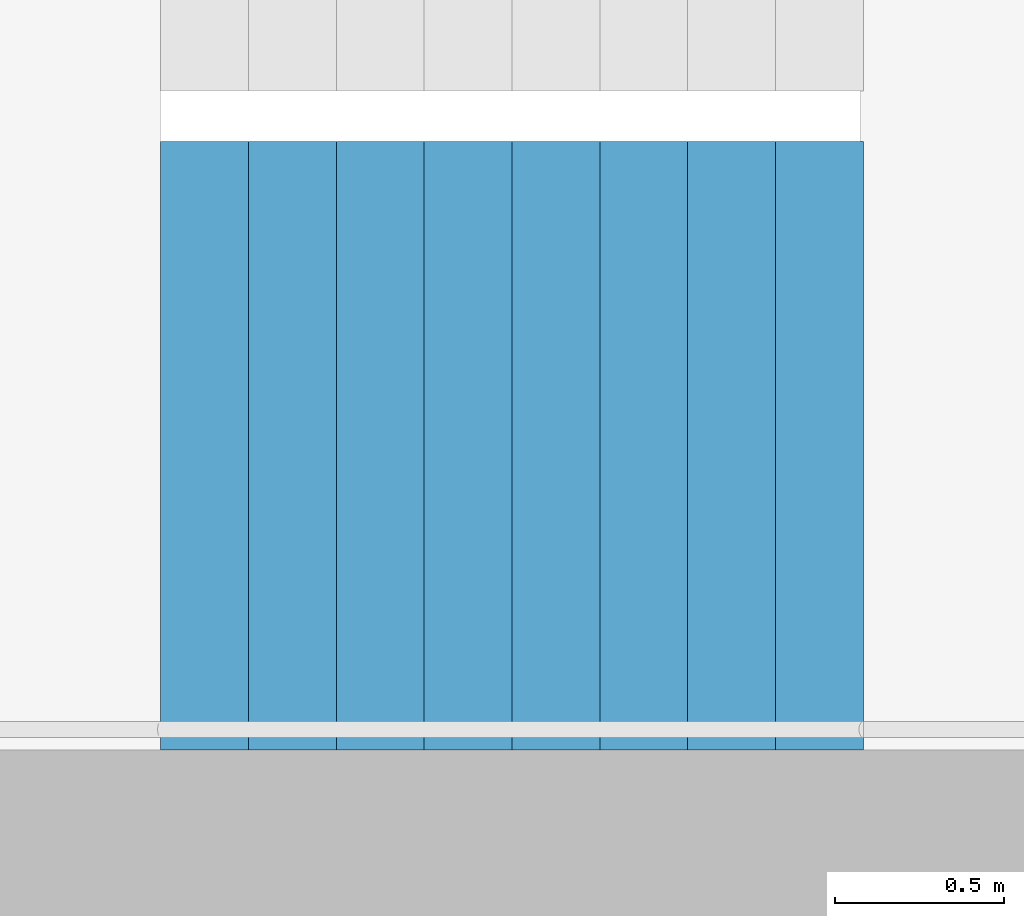
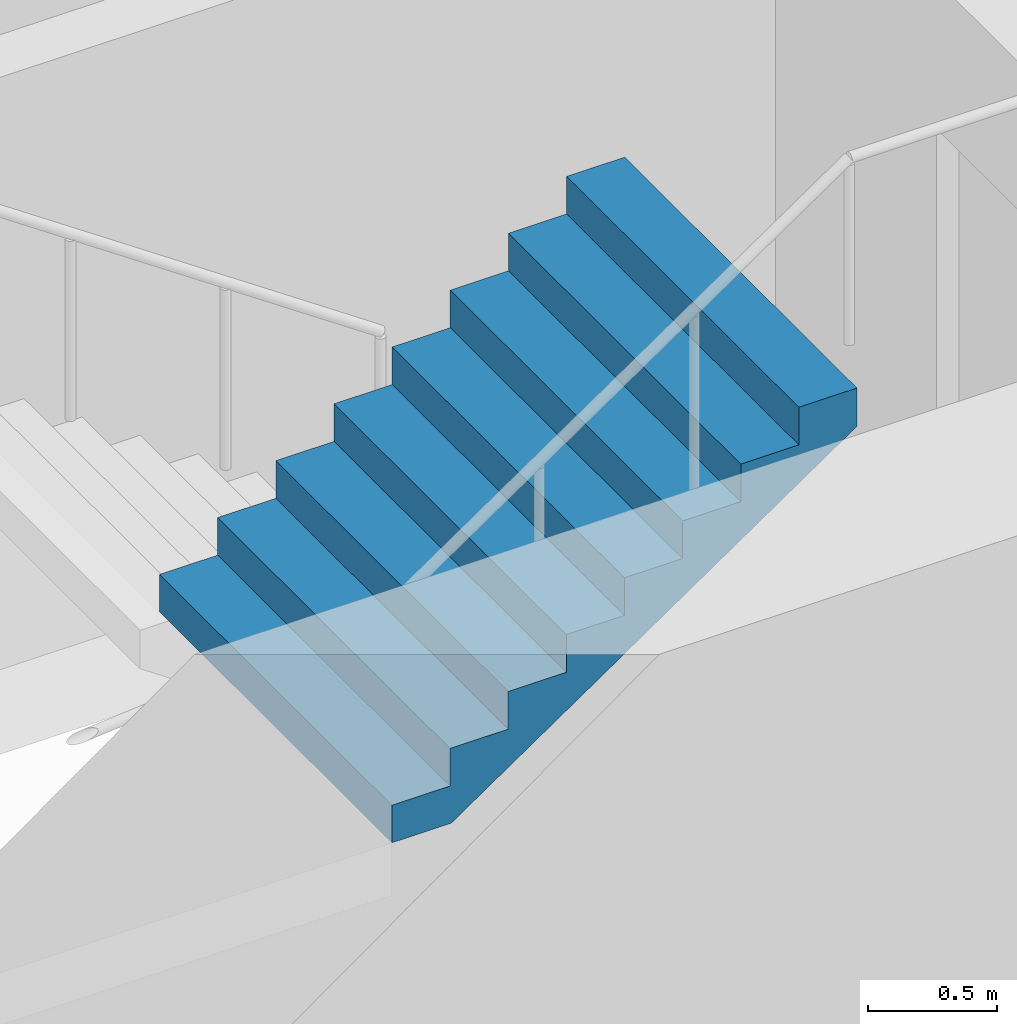
# One storey, part 21 of 29: 1 stair flight, 1 element without a shape of its own.
"""IFC4 building model written with IfcOpenShell, lengths in metres."""

from ifc_helpers import new_model, si_unit, direction, frame, origin, place, context, subcontext, project, spatial, triangles, material, type_object, element, aggregate, save


model = new_model("IFC4")

# Units and contexts
model_context = context("Model", 3, precision=1e-05, world=origin(), true_north=direction((0.0, 1.0)))
body_context = subcontext(model_context, "Body", "Model", "MODEL_VIEW")
ifc_project = project(units=[si_unit("LENGTHUNIT", "METRE"), si_unit("AREAUNIT", "SQUARE_METRE"), si_unit("VOLUMEUNIT", "CUBIC_METRE"), si_unit("PLANEANGLEUNIT", "RADIAN"), si_unit("MASSUNIT", "GRAM", prefix="KILO")], contexts=[model_context])

# Site, building, storey
site_placement = place(None, origin())
site = spatial("IfcSite", under=ifc_project, at=site_placement, CompositionType="ELEMENT")
building_placement = place(site_placement, origin())
building = spatial("IfcBuilding", under=site, at=building_placement, Name="Hakoniwa Tower and Hamabe Station Hall", CompositionType="ELEMENT")
storey_placement = place(building_placement, frame((0.0, 0.0, 97.800048828125)))
storey = spatial("IfcBuildingStorey", under=building, at=storey_placement, Name="L27", CompositionType="ELEMENT", Elevation=97.800048828125)

# Stair, stair flight
ifc_material_1 = material(Name="Concrete C40", Category="concrete")
stair_type = type_object("IfcStairType", Name="ESCAPE STAIR 1800", PredefinedType="HALF_TURN_STAIR", material=ifc_material_1)
stair_placement = place(storey_placement, origin())
stair = element("IfcStair", 1, at=stair_placement, inside=storey, type_object=stair_type, Name="Escape stair ST-2 L27", PredefinedType="HALF_TURN_STAIR")
ifc_material_2 = material(Name="Concrete C40", Category="concrete")
stair_flight_type = type_object("IfcStairFlightType", Name="STAIR FLIGHT 1800", PredefinedType="STRAIGHT", material=ifc_material_2)
stair_flight_placement = place(storey_placement, frame((-25.47998046875, -6.60009765625, 1.599853515625), z_axis=(0.0, 0.0, 1.0), x_axis=(1.0, 0.0, 0.0)))
stair_flight = element("IfcStairFlight", 2, at=stair_flight_placement, type_object=stair_flight_type, Name="ST-2 flight 2", NumberOfRisers=9, NumberOfTreads=8, PredefinedType="STRAIGHT", RiserHeight=0.177777778, TreadLength=0.26, context=body_context, shape_type="Tessellation", body=[
    triangles([(0.0, 0.89990234375, 0.0), (0.260009765625, 0.89990234375, 0.0), (0.265625, 0.89990234375, 0.0), (0.52001953125, 0.89990234375, 0.174072265625), (0.780029296875, 0.89990234375, 0.351806640625), (1.0400390625, 0.89990234375, 0.529541015625), (1.300048828125, 0.89990234375, 0.707275390625), (1.56005859375, 0.89990234375, 0.885009765625), (1.820068359375, 0.89990234375, 1.062744140625), (2.080078125, 0.89990234375, 1.24072265625), (2.080078125, 0.89990234375, 1.422119140625), (1.820068359375, 0.89990234375, 1.422119140625), (1.820068359375, 0.89990234375, 1.244384765625), (1.56005859375, 0.89990234375, 1.244384765625), (1.56005859375, 0.89990234375, 1.066650390625), (1.300048828125, 0.89990234375, 1.066650390625), (1.300048828125, 0.89990234375, 0.888916015625), (1.0400390625, 0.89990234375, 0.888916015625), (1.0400390625, 0.89990234375, 0.711181640625), (0.780029296875, 0.89990234375, 0.711181640625), (0.780029296875, 0.89990234375, 0.533447265625), (0.52001953125, 0.89990234375, 0.533447265625), (0.52001953125, 0.89990234375, 0.35546875), (0.265625, 0.89990234375, 0.35546875), (0.260009765625, 0.89990234375, 0.35546875), (0.260009765625, 0.89990234375, 0.177734375), (0.0, 0.89990234375, 0.177734375), (0.0, 0.06005859375, 0.0), (0.260009765625, 0.06005859375, 0.0), (0.265625, 0.06005859375, 0.0), (0.52001953125, 0.06005859375, 0.174072265625), (0.780029296875, 0.06005859375, 0.351806640625), (1.0400390625, 0.06005859375, 0.529541015625), (1.300048828125, 0.06005859375, 0.707275390625), (1.56005859375, 0.06005859375, 0.885009765625), (1.820068359375, 0.06005859375, 1.062744140625), (2.080078125, 0.06005859375, 1.24072265625), (2.080078125, 0.06005859375, 1.422119140625), (1.820068359375, 0.06005859375, 1.422119140625), (1.820068359375, 0.06005859375, 1.244384765625), (1.56005859375, 0.06005859375, 1.244384765625), (1.56005859375, 0.06005859375, 1.066650390625), (1.300048828125, 0.06005859375, 1.066650390625), (1.300048828125, 0.06005859375, 0.888916015625), (1.0400390625, 0.06005859375, 0.888916015625), (1.0400390625, 0.06005859375, 0.711181640625), (0.780029296875, 0.06005859375, 0.711181640625), (0.780029296875, 0.06005859375, 0.533447265625), (0.52001953125, 0.06005859375, 0.533447265625), (0.52001953125, 0.06005859375, 0.35546875), (0.265625, 0.06005859375, 0.35546875), (0.260009765625, 0.06005859375, 0.35546875), (0.260009765625, 0.06005859375, 0.177734375), (0.0, 0.06005859375, 0.177734375), (0.0, 0.04296875, 0.0), (0.260009765625, 0.04296875, 0.0), (0.265625, 0.04296875, 0.0), (0.52001953125, 0.04296875, 0.174072265625), (0.780029296875, 0.04296875, 0.351806640625), (1.0400390625, 0.04296875, 0.529541015625), (1.300048828125, 0.04296875, 0.707275390625), (1.56005859375, 0.04296875, 0.885009765625), (1.820068359375, 0.04296875, 1.062744140625), (2.080078125, 0.04296875, 1.24072265625), (2.080078125, 0.04296875, 1.422119140625), (1.820068359375, 0.04296875, 1.422119140625), (1.820068359375, 0.04296875, 1.244384765625), (1.56005859375, 0.04296875, 1.244384765625), (1.56005859375, 0.04296875, 1.066650390625), (1.300048828125, 0.04296875, 1.066650390625), (1.300048828125, 0.04296875, 0.888916015625), (1.0400390625, 0.04296875, 0.888916015625), (1.0400390625, 0.04296875, 0.711181640625), (0.780029296875, 0.04296875, 0.711181640625), (0.780029296875, 0.04296875, 0.533447265625), (0.52001953125, 0.04296875, 0.533447265625), (0.52001953125, 0.04296875, 0.35546875), (0.265625, 0.04296875, 0.35546875), (0.260009765625, 0.04296875, 0.35546875), (0.260009765625, 0.04296875, 0.177734375), (0.0, 0.04296875, 0.177734375), (0.0, 0.025634765625, 0.0), (0.260009765625, 0.025634765625, 0.0), (0.265625, 0.025634765625, 0.0), (0.52001953125, 0.025634765625, 0.174072265625), (0.780029296875, 0.025634765625, 0.351806640625), (1.0400390625, 0.025634765625, 0.529541015625), (1.300048828125, 0.025634765625, 0.707275390625), (1.56005859375, 0.025634765625, 0.885009765625), (1.820068359375, 0.025634765625, 1.062744140625), (2.080078125, 0.025634765625, 1.24072265625), (2.080078125, 0.025634765625, 1.422119140625), (1.820068359375, 0.025634765625, 1.422119140625), (1.820068359375, 0.025634765625, 1.244384765625), (1.56005859375, 0.025634765625, 1.244384765625), (1.56005859375, 0.025634765625, 1.066650390625), (1.300048828125, 0.025634765625, 1.066650390625), (1.300048828125, 0.025634765625, 0.888916015625), (1.0400390625, 0.025634765625, 0.888916015625), (1.0400390625, 0.025634765625, 0.711181640625), (0.780029296875, 0.025634765625, 0.711181640625), (0.780029296875, 0.025634765625, 0.533447265625), (0.52001953125, 0.025634765625, 0.533447265625), (0.52001953125, 0.025634765625, 0.35546875), (0.265625, 0.025634765625, 0.35546875), (0.260009765625, 0.025634765625, 0.35546875), (0.260009765625, 0.025634765625, 0.177734375), (0.0, 0.025634765625, 0.177734375), (0.0, 0.008544921875, 0.0), (0.260009765625, 0.008544921875, 0.0), (0.265625, 0.008544921875, 0.0), (0.52001953125, 0.008544921875, 0.174072265625), (0.780029296875, 0.008544921875, 0.351806640625), (1.0400390625, 0.008544921875, 0.529541015625), (1.300048828125, 0.008544921875, 0.707275390625), (1.56005859375, 0.008544921875, 0.885009765625), (1.820068359375, 0.008544921875, 1.062744140625), (2.080078125, 0.008544921875, 1.24072265625), (2.080078125, 0.008544921875, 1.422119140625), (1.820068359375, 0.008544921875, 1.422119140625), (1.820068359375, 0.008544921875, 1.244384765625), (1.56005859375, 0.008544921875, 1.244384765625), (1.56005859375, 0.008544921875, 1.066650390625), (1.300048828125, 0.008544921875, 1.066650390625), (1.300048828125, 0.008544921875, 0.888916015625), (1.0400390625, 0.008544921875, 0.888916015625), (1.0400390625, 0.008544921875, 0.711181640625), (0.780029296875, 0.008544921875, 0.711181640625), (0.780029296875, 0.008544921875, 0.533447265625), (0.52001953125, 0.008544921875, 0.533447265625), (0.52001953125, 0.008544921875, 0.35546875), (0.265625, 0.008544921875, 0.35546875), (0.260009765625, 0.008544921875, 0.35546875), (0.260009765625, 0.008544921875, 0.177734375), (0.0, 0.008544921875, 0.177734375), (0.0, -0.008544921875, 0.0), (0.260009765625, -0.008544921875, 0.0), (0.265625, -0.008544921875, 0.0), (0.52001953125, -0.008544921875, 0.174072265625), (0.780029296875, -0.008544921875, 0.351806640625), (1.0400390625, -0.008544921875, 0.529541015625), (1.300048828125, -0.008544921875, 0.707275390625), (1.56005859375, -0.008544921875, 0.885009765625), (1.820068359375, -0.008544921875, 1.062744140625), (2.080078125, -0.008544921875, 1.24072265625), (2.080078125, -0.008544921875, 1.422119140625), (1.820068359375, -0.008544921875, 1.422119140625), (1.820068359375, -0.008544921875, 1.244384765625), (1.56005859375, -0.008544921875, 1.244384765625), (1.56005859375, -0.008544921875, 1.066650390625), (1.300048828125, -0.008544921875, 1.066650390625), (1.300048828125, -0.008544921875, 0.888916015625), (1.0400390625, -0.008544921875, 0.888916015625), (1.0400390625, -0.008544921875, 0.711181640625), (0.780029296875, -0.008544921875, 0.711181640625), (0.780029296875, -0.008544921875, 0.533447265625), (0.52001953125, -0.008544921875, 0.533447265625), (0.52001953125, -0.008544921875, 0.35546875), (0.265625, -0.008544921875, 0.35546875), (0.260009765625, -0.008544921875, 0.35546875), (0.260009765625, -0.008544921875, 0.177734375), (0.0, -0.008544921875, 0.177734375), (0.0, -0.025634765625, 0.0), (0.260009765625, -0.025634765625, 0.0), (0.265625, -0.025634765625, 0.0), (0.52001953125, -0.025634765625, 0.174072265625), (0.780029296875, -0.025634765625, 0.351806640625), (1.0400390625, -0.025634765625, 0.529541015625), (1.300048828125, -0.025634765625, 0.707275390625), (1.56005859375, -0.025634765625, 0.885009765625), (1.820068359375, -0.025634765625, 1.062744140625), (2.080078125, -0.025634765625, 1.24072265625), (2.080078125, -0.025634765625, 1.422119140625), (1.820068359375, -0.025634765625, 1.422119140625), (1.820068359375, -0.025634765625, 1.244384765625), (1.56005859375, -0.025634765625, 1.244384765625), (1.56005859375, -0.025634765625, 1.066650390625), (1.300048828125, -0.025634765625, 1.066650390625), (1.300048828125, -0.025634765625, 0.888916015625), (1.0400390625, -0.025634765625, 0.888916015625), (1.0400390625, -0.025634765625, 0.711181640625), (0.780029296875, -0.025634765625, 0.711181640625), (0.780029296875, -0.025634765625, 0.533447265625), (0.52001953125, -0.025634765625, 0.533447265625), (0.52001953125, -0.025634765625, 0.35546875), (0.265625, -0.025634765625, 0.35546875), (0.260009765625, -0.025634765625, 0.35546875), (0.260009765625, -0.025634765625, 0.177734375), (0.0, -0.025634765625, 0.177734375), (0.0, -0.04296875, 0.0), (0.260009765625, -0.04296875, 0.0), (0.265625, -0.04296875, 0.0), (0.52001953125, -0.04296875, 0.174072265625), (0.780029296875, -0.04296875, 0.351806640625), (1.0400390625, -0.04296875, 0.529541015625), (1.300048828125, -0.04296875, 0.707275390625), (1.56005859375, -0.04296875, 0.885009765625), (1.820068359375, -0.04296875, 1.062744140625), (2.080078125, -0.04296875, 1.24072265625), (2.080078125, -0.04296875, 1.422119140625), (1.820068359375, -0.04296875, 1.422119140625), (1.820068359375, -0.04296875, 1.244384765625), (1.56005859375, -0.04296875, 1.244384765625), (1.56005859375, -0.04296875, 1.066650390625), (1.300048828125, -0.04296875, 1.066650390625), (1.300048828125, -0.04296875, 0.888916015625), (1.0400390625, -0.04296875, 0.888916015625), (1.0400390625, -0.04296875, 0.711181640625), (0.780029296875, -0.04296875, 0.711181640625), (0.780029296875, -0.04296875, 0.533447265625), (0.52001953125, -0.04296875, 0.533447265625), (0.52001953125, -0.04296875, 0.35546875), (0.265625, -0.04296875, 0.35546875), (0.260009765625, -0.04296875, 0.35546875), (0.260009765625, -0.04296875, 0.177734375), (0.0, -0.04296875, 0.177734375), (0.0, -0.06005859375, 0.0), (0.260009765625, -0.06005859375, 0.0), (0.265625, -0.06005859375, 0.0), (0.52001953125, -0.06005859375, 0.174072265625), (0.780029296875, -0.06005859375, 0.351806640625), (1.0400390625, -0.06005859375, 0.529541015625), (1.300048828125, -0.06005859375, 0.707275390625), (1.56005859375, -0.06005859375, 0.885009765625), (1.820068359375, -0.06005859375, 1.062744140625), (2.080078125, -0.06005859375, 1.24072265625), (2.080078125, -0.06005859375, 1.422119140625), (1.820068359375, -0.06005859375, 1.422119140625), (1.820068359375, -0.06005859375, 1.244384765625), (1.56005859375, -0.06005859375, 1.244384765625), (1.56005859375, -0.06005859375, 1.066650390625), (1.300048828125, -0.06005859375, 1.066650390625), (1.300048828125, -0.06005859375, 0.888916015625), (1.0400390625, -0.06005859375, 0.888916015625), (1.0400390625, -0.06005859375, 0.711181640625), (0.780029296875, -0.06005859375, 0.711181640625), (0.780029296875, -0.06005859375, 0.533447265625), (0.52001953125, -0.06005859375, 0.533447265625), (0.52001953125, -0.06005859375, 0.35546875), (0.265625, -0.06005859375, 0.35546875), (0.260009765625, -0.06005859375, 0.35546875), (0.260009765625, -0.06005859375, 0.177734375), (0.0, -0.06005859375, 0.177734375), (0.0, -0.89990234375, 0.0), (0.260009765625, -0.89990234375, 0.0), (0.265625, -0.89990234375, 0.0), (0.52001953125, -0.89990234375, 0.174072265625), (0.780029296875, -0.89990234375, 0.351806640625), (1.0400390625, -0.89990234375, 0.529541015625), (1.300048828125, -0.89990234375, 0.707275390625), (1.56005859375, -0.89990234375, 0.885009765625), (1.820068359375, -0.89990234375, 1.062744140625), (2.080078125, -0.89990234375, 1.24072265625), (2.080078125, -0.89990234375, 1.422119140625), (1.820068359375, -0.89990234375, 1.422119140625), (1.820068359375, -0.89990234375, 1.244384765625), (1.56005859375, -0.89990234375, 1.244384765625), (1.56005859375, -0.89990234375, 1.066650390625), (1.300048828125, -0.89990234375, 1.066650390625), (1.300048828125, -0.89990234375, 0.888916015625), (1.0400390625, -0.89990234375, 0.888916015625), (1.0400390625, -0.89990234375, 0.711181640625), (0.780029296875, -0.89990234375, 0.711181640625), (0.780029296875, -0.89990234375, 0.533447265625), (0.52001953125, -0.89990234375, 0.533447265625), (0.52001953125, -0.89990234375, 0.35546875), (0.265625, -0.89990234375, 0.35546875), (0.260009765625, -0.89990234375, 0.35546875), (0.260009765625, -0.89990234375, 0.177734375), (0.0, -0.89990234375, 0.177734375)], [[2, 27, 26], [245, 269, 270], [2, 1, 27], [245, 270, 244], [3, 25, 24], [246, 267, 268], [3, 26, 25], [246, 268, 269], [3, 2, 26], [246, 269, 245], [4, 24, 23], [247, 266, 267], [4, 3, 24], [247, 267, 246], [5, 22, 21], [248, 264, 265], [5, 23, 22], [248, 265, 266], [5, 4, 23], [248, 266, 247], [6, 20, 19], [249, 262, 263], [6, 21, 20], [249, 263, 264], [6, 5, 21], [249, 264, 248], [7, 18, 17], [250, 260, 261], [7, 19, 18], [250, 261, 262], [7, 6, 19], [250, 262, 249], [8, 16, 15], [251, 258, 259], [8, 17, 16], [251, 259, 260], [8, 7, 17], [251, 260, 250], [9, 14, 13], [252, 256, 257], [9, 15, 14], [252, 257, 258], [9, 8, 15], [252, 258, 251], [10, 12, 11], [253, 254, 255], [10, 13, 12], [253, 255, 256], [10, 9, 13], [253, 256, 252], [1, 2, 29], [1, 29, 28], [28, 29, 56], [28, 56, 55], [55, 56, 83], [55, 83, 82], [82, 83, 110], [82, 110, 109], [109, 110, 137], [109, 137, 136], [136, 137, 164], [136, 164, 163], [163, 164, 191], [163, 191, 190], [190, 191, 218], [190, 218, 217], [217, 218, 245], [217, 245, 244], [2, 3, 30], [2, 30, 29], [29, 30, 57], [29, 57, 56], [56, 57, 84], [56, 84, 83], [83, 84, 111], [83, 111, 110], [110, 111, 138], [110, 138, 137], [137, 138, 165], [137, 165, 164], [164, 165, 192], [164, 192, 191], [191, 192, 219], [191, 219, 218], [218, 219, 246], [218, 246, 245], [3, 4, 31], [3, 31, 30], [30, 31, 58], [30, 58, 57], [57, 58, 85], [57, 85, 84], [84, 85, 112], [84, 112, 111], [111, 112, 139], [111, 139, 138], [138, 139, 166], [138, 166, 165], [165, 166, 193], [165, 193, 192], [192, 193, 220], [192, 220, 219], [219, 220, 247], [219, 247, 246], [4, 5, 32], [4, 32, 31], [31, 32, 59], [31, 59, 58], [58, 59, 86], [58, 86, 85], [85, 86, 113], [85, 113, 112], [112, 113, 140], [112, 140, 139], [139, 140, 167], [139, 167, 166], [166, 167, 194], [166, 194, 193], [193, 194, 221], [193, 221, 220], [220, 221, 248], [220, 248, 247], [5, 6, 33], [5, 33, 32], [32, 33, 60], [32, 60, 59], [59, 60, 87], [59, 87, 86], [86, 87, 114], [86, 114, 113], [113, 114, 141], [113, 141, 140], [140, 141, 168], [140, 168, 167], [167, 168, 195], [167, 195, 194], [194, 195, 222], [194, 222, 221], [221, 222, 249], [221, 249, 248], [6, 7, 34], [6, 34, 33], [33, 34, 61], [33, 61, 60], [60, 61, 88], [60, 88, 87], [87, 88, 115], [87, 115, 114], [114, 115, 142], [114, 142, 141], [141, 142, 169], [141, 169, 168], [168, 169, 196], [168, 196, 195], [195, 196, 223], [195, 223, 222], [222, 223, 250], [222, 250, 249], [7, 8, 35], [7, 35, 34], [34, 35, 62], [34, 62, 61], [61, 62, 89], [61, 89, 88], [88, 89, 116], [88, 116, 115], [115, 116, 143], [115, 143, 142], [142, 143, 170], [142, 170, 169], [169, 170, 197], [169, 197, 196], [196, 197, 224], [196, 224, 223], [223, 224, 251], [223, 251, 250], [8, 9, 36], [8, 36, 35], [35, 36, 63], [35, 63, 62], [62, 63, 90], [62, 90, 89], [89, 90, 117], [89, 117, 116], [116, 117, 144], [116, 144, 143], [143, 144, 171], [143, 171, 170], [170, 171, 198], [170, 198, 197], [197, 198, 225], [197, 225, 224], [224, 225, 252], [224, 252, 251], [9, 10, 37], [9, 37, 36], [36, 37, 64], [36, 64, 63], [63, 64, 91], [63, 91, 90], [90, 91, 118], [90, 118, 117], [117, 118, 145], [117, 145, 144], [144, 145, 172], [144, 172, 171], [171, 172, 199], [171, 199, 198], [198, 199, 226], [198, 226, 225], [225, 226, 253], [225, 253, 252], [10, 11, 38], [10, 38, 37], [37, 38, 65], [37, 65, 64], [64, 65, 92], [64, 92, 91], [91, 92, 119], [91, 119, 118], [118, 119, 146], [118, 146, 145], [145, 146, 173], [145, 173, 172], [172, 173, 200], [172, 200, 199], [199, 200, 227], [199, 227, 226], [226, 227, 254], [226, 254, 253], [11, 12, 39], [11, 39, 38], [38, 39, 66], [38, 66, 65], [65, 66, 93], [65, 93, 92], [92, 93, 120], [92, 120, 119], [119, 120, 147], [119, 147, 146], [146, 147, 174], [146, 174, 173], [173, 174, 201], [173, 201, 200], [200, 201, 228], [200, 228, 227], [227, 228, 255], [227, 255, 254], [12, 13, 40], [12, 40, 39], [39, 40, 67], [39, 67, 66], [66, 67, 94], [66, 94, 93], [93, 94, 121], [93, 121, 120], [120, 121, 148], [120, 148, 147], [147, 148, 175], [147, 175, 174], [174, 175, 202], [174, 202, 201], [201, 202, 229], [201, 229, 228], [228, 229, 256], [228, 256, 255], [13, 14, 41], [13, 41, 40], [40, 41, 68], [40, 68, 67], [67, 68, 95], [67, 95, 94], [94, 95, 122], [94, 122, 121], [121, 122, 149], [121, 149, 148], [148, 149, 176], [148, 176, 175], [175, 176, 203], [175, 203, 202], [202, 203, 230], [202, 230, 229], [229, 230, 257], [229, 257, 256], [14, 15, 42], [14, 42, 41], [41, 42, 69], [41, 69, 68], [68, 69, 96], [68, 96, 95], [95, 96, 123], [95, 123, 122], [122, 123, 150], [122, 150, 149], [149, 150, 177], [149, 177, 176], [176, 177, 204], [176, 204, 203], [203, 204, 231], [203, 231, 230], [230, 231, 258], [230, 258, 257], [15, 16, 43], [15, 43, 42], [42, 43, 70], [42, 70, 69], [69, 70, 97], [69, 97, 96], [96, 97, 124], [96, 124, 123], [123, 124, 151], [123, 151, 150], [150, 151, 178], [150, 178, 177], [177, 178, 205], [177, 205, 204], [204, 205, 232], [204, 232, 231], [231, 232, 259], [231, 259, 258], [16, 17, 44], [16, 44, 43], [43, 44, 71], [43, 71, 70], [70, 71, 98], [70, 98, 97], [97, 98, 125], [97, 125, 124], [124, 125, 152], [124, 152, 151], [151, 152, 179], [151, 179, 178], [178, 179, 206], [178, 206, 205], [205, 206, 233], [205, 233, 232], [232, 233, 260], [232, 260, 259], [17, 18, 45], [17, 45, 44], [44, 45, 72], [44, 72, 71], [71, 72, 99], [71, 99, 98], [98, 99, 126], [98, 126, 125], [125, 126, 153], [125, 153, 152], [152, 153, 180], [152, 180, 179], [179, 180, 207], [179, 207, 206], [206, 207, 234], [206, 234, 233], [233, 234, 261], [233, 261, 260], [18, 19, 46], [18, 46, 45], [45, 46, 73], [45, 73, 72], [72, 73, 100], [72, 100, 99], [99, 100, 127], [99, 127, 126], [126, 127, 154], [126, 154, 153], [153, 154, 181], [153, 181, 180], [180, 181, 208], [180, 208, 207], [207, 208, 235], [207, 235, 234], [234, 235, 262], [234, 262, 261], [19, 20, 47], [19, 47, 46], [46, 47, 74], [46, 74, 73], [73, 74, 101], [73, 101, 100], [100, 101, 128], [100, 128, 127], [127, 128, 155], [127, 155, 154], [154, 155, 182], [154, 182, 181], [181, 182, 209], [181, 209, 208], [208, 209, 236], [208, 236, 235], [235, 236, 263], [235, 263, 262], [20, 21, 48], [20, 48, 47], [47, 48, 75], [47, 75, 74], [74, 75, 102], [74, 102, 101], [101, 102, 129], [101, 129, 128], [128, 129, 156], [128, 156, 155], [155, 156, 183], [155, 183, 182], [182, 183, 210], [182, 210, 209], [209, 210, 237], [209, 237, 236], [236, 237, 264], [236, 264, 263], [21, 22, 49], [21, 49, 48], [48, 49, 76], [48, 76, 75], [75, 76, 103], [75, 103, 102], [102, 103, 130], [102, 130, 129], [129, 130, 157], [129, 157, 156], [156, 157, 184], [156, 184, 183], [183, 184, 211], [183, 211, 210], [210, 211, 238], [210, 238, 237], [237, 238, 265], [237, 265, 264], [22, 23, 50], [22, 50, 49], [49, 50, 77], [49, 77, 76], [76, 77, 104], [76, 104, 103], [103, 104, 131], [103, 131, 130], [130, 131, 158], [130, 158, 157], [157, 158, 185], [157, 185, 184], [184, 185, 212], [184, 212, 211], [211, 212, 239], [211, 239, 238], [238, 239, 266], [238, 266, 265], [23, 24, 51], [23, 51, 50], [50, 51, 78], [50, 78, 77], [77, 78, 105], [77, 105, 104], [104, 105, 132], [104, 132, 131], [131, 132, 159], [131, 159, 158], [158, 159, 186], [158, 186, 185], [185, 186, 213], [185, 213, 212], [212, 213, 240], [212, 240, 239], [239, 240, 267], [239, 267, 266], [24, 25, 52], [24, 52, 51], [51, 52, 79], [51, 79, 78], [78, 79, 106], [78, 106, 105], [105, 106, 133], [105, 133, 132], [132, 133, 160], [132, 160, 159], [159, 160, 187], [159, 187, 186], [186, 187, 214], [186, 214, 213], [213, 214, 241], [213, 241, 240], [240, 241, 268], [240, 268, 267], [25, 26, 53], [25, 53, 52], [52, 53, 80], [52, 80, 79], [79, 80, 107], [79, 107, 106], [106, 107, 134], [106, 134, 133], [133, 134, 161], [133, 161, 160], [160, 161, 188], [160, 188, 187], [187, 188, 215], [187, 215, 214], [214, 215, 242], [214, 242, 241], [241, 242, 269], [241, 269, 268], [26, 27, 54], [26, 54, 53], [53, 54, 81], [53, 81, 80], [80, 81, 108], [80, 108, 107], [107, 108, 135], [107, 135, 134], [134, 135, 162], [134, 162, 161], [161, 162, 189], [161, 189, 188], [188, 189, 216], [188, 216, 215], [215, 216, 243], [215, 243, 242], [242, 243, 270], [242, 270, 269], [27, 1, 28], [27, 28, 54], [54, 28, 55], [54, 55, 81], [81, 55, 82], [81, 82, 108], [108, 82, 109], [108, 109, 135], [135, 109, 136], [135, 136, 162], [162, 136, 163], [162, 163, 189], [189, 163, 190], [189, 190, 216], [216, 190, 217], [216, 217, 243], [243, 217, 244], [243, 244, 270]], closed=True),
])
aggregate(stair, [stair_flight])

save(model, "model.ifc")
